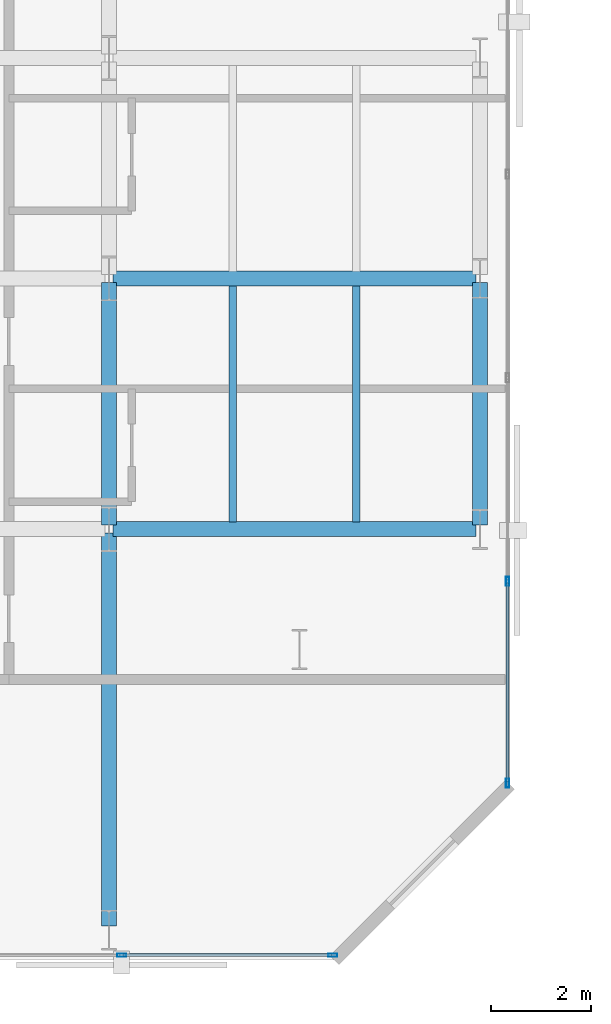
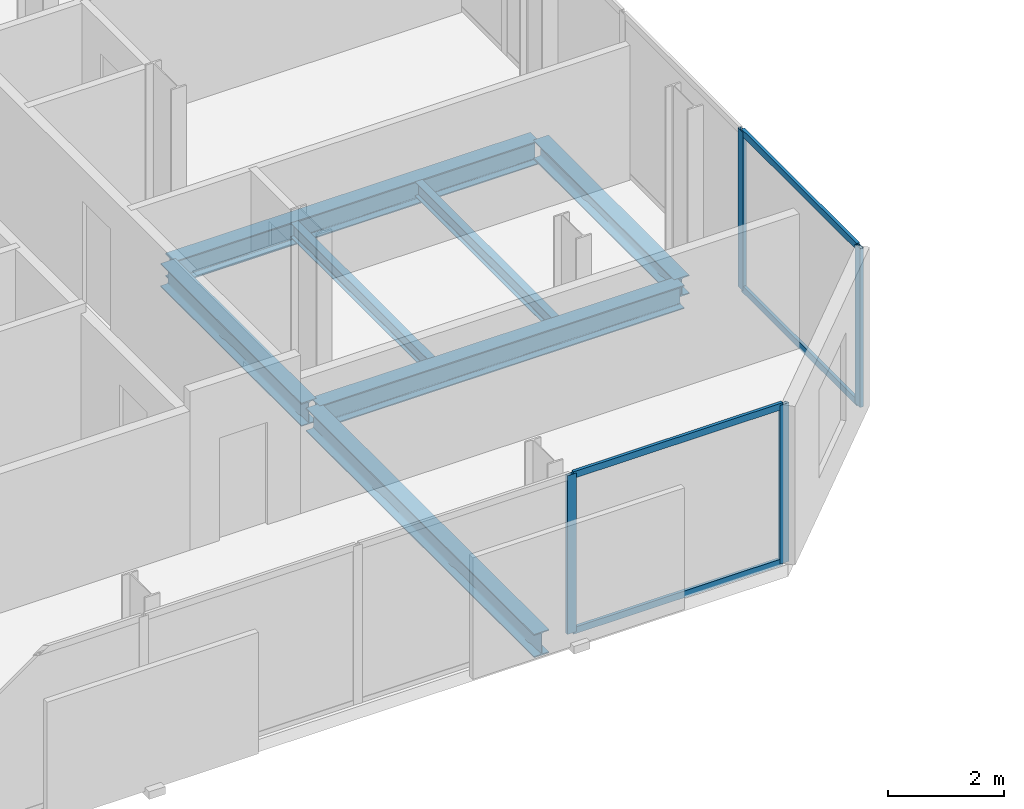
# One storey, part 7 of 33: 8 members, 7 beams, 2 elements without a shape of their own.
"""IFC4 building model written with IfcOpenShell, lengths in metres."""

from ifc_helpers import new_model, si_unit, direction, frame, origin, origin_2d, place, context, subcontext, project, spatial, hollow_rectangle, i_section, extrude, material, layer, layer_set, material_profile, profile_set, type_object, element, aggregate, save


model = new_model("IFC4")

# Units and contexts
model_context = context("Model", 3, precision=1e-05, world=origin(), true_north=direction((0.0, 1.0)))
body_context = subcontext(model_context, "Body", "Model", "MODEL_VIEW")
ifc_project = project(units=[si_unit("LENGTHUNIT", "METRE"), si_unit("AREAUNIT", "SQUARE_METRE"), si_unit("VOLUMEUNIT", "CUBIC_METRE"), si_unit("PLANEANGLEUNIT", "RADIAN"), si_unit("MASSUNIT", "GRAM", prefix="KILO")], contexts=[model_context])

# Site, building, storey
site_placement = place(None, origin())
site = spatial("IfcSite", under=ifc_project, at=site_placement, CompositionType="ELEMENT")
building_placement = place(site_placement, origin())
building = spatial("IfcBuilding", under=site, at=building_placement, Name="Catumbela Crestline Tower", CompositionType="ELEMENT")
storey_placement = place(building_placement, frame((0.0, 0.0, 72.6)))
storey = spatial("IfcBuildingStorey", under=building, at=storey_placement, Name="L18", CompositionType="ELEMENT", Elevation=72.6)

# Beams
ifc_material_1 = material(Name="Structural steel S355J2", Category="steel")
ifc_material_profile_1 = material_profile(ifc_material_1, i_section(OverallWidth=0.3, OverallDepth=0.49, WebThickness=0.012, FlangeThickness=0.023, FilletRadius=0.027, at=origin_2d()), Name="HEA 500")
ifc_profile_set_1 = profile_set([ifc_material_profile_1], Name="Structural steel S355J2")
beam_type_1 = type_object("IfcBeamType", Name="BG-HEA500", PredefinedType="BEAM", material=ifc_profile_set_1)
for number, where, z_axis, x_axis, name in (
    (1, (16.08, 8.6, -0.505), (1.0, 0.0, 0.0), (0.0, 1.0, 0.0), "L18 Beam BM-L18-WEW50"),
    (2, (16.08, 13.6, -0.505), (1.0, 0.0, 0.0), (0.0, 1.0, 0.0), "L18 Beam BM-L18-WEW53"),
):
    element("IfcBeam", number, at=place(storey_placement, frame(where, z_axis=z_axis, x_axis=x_axis)), inside=storey, type_object=beam_type_1, Name=name, PredefinedType="BEAM", context=body_context, shape_type="SweptSolid", body=[
        extrude(i_section(OverallWidth=0.3, OverallDepth=0.49, WebThickness=0.012, FlangeThickness=0.023, FilletRadius=0.027, at=origin_2d()), origin(), (0.0, 0.0, 1.0), 7.24),
    ])
beam_1_placement = place(storey_placement, frame((16.0, 0.68, -0.505), z_axis=(0.0, 1.0, 0.0), x_axis=(-1.0, 0.0, 0.0)))
element("IfcBeam", 3, at=beam_1_placement, inside=storey, type_object=beam_type_1, Name="L18 Beam BM-L18-WNS64", PredefinedType="BEAM", context=body_context, shape_type="SweptSolid", body=[
    extrude(i_section(OverallWidth=0.3, OverallDepth=0.49, WebThickness=0.012, FlangeThickness=0.023, FilletRadius=0.027, at=origin_2d()), origin(), (0.0, 0.0, 1.0), 7.84),
])
beam_2_placement = place(storey_placement, frame((16.0, 8.68, -0.505), z_axis=(0.0, 1.0, 0.0), x_axis=(-1.0, 0.0, 0.0)))
element("IfcBeam", 4, at=beam_2_placement, inside=storey, type_object=beam_type_1, Name="L18 Beam BM-L18-WNS65", PredefinedType="BEAM", context=body_context, shape_type="SweptSolid", body=[
    extrude(i_section(OverallWidth=0.3, OverallDepth=0.49, WebThickness=0.012, FlangeThickness=0.023, FilletRadius=0.027, at=origin_2d()), origin(), (0.0, 0.0, 1.0), 4.84),
])
ifc_material_profile_2 = material_profile(ifc_material_1, i_section(OverallWidth=0.15, OverallDepth=0.3, WebThickness=0.0071, FlangeThickness=0.0107, FilletRadius=0.015, at=origin_2d()), Name="IPE 300")
ifc_profile_set_2 = profile_set([ifc_material_profile_2], Name="Structural steel S355J2")
beam_type_2 = type_object("IfcBeamType", Name="BJ-IPE300", PredefinedType="JOIST", material=ifc_profile_set_2)
for number, where, z_axis, x_axis, name in (
    (5, (18.467, 8.747, -0.41), (0.0, 1.0, 0.0), (-1.0, 0.0, 0.0), "L18 Joist JS-L18-WG74"),
    (6, (20.933, 8.747, -0.41), (0.0, 1.0, 0.0), (-1.0, 0.0, 0.0), "L18 Joist JS-L18-WG75"),
):
    element("IfcBeam", number, at=place(storey_placement, frame(where, z_axis=z_axis, x_axis=x_axis)), inside=storey, type_object=beam_type_2, Name=name, PredefinedType="JOIST", context=body_context, shape_type="SweptSolid", body=[
        extrude(i_section(OverallWidth=0.15, OverallDepth=0.3, WebThickness=0.0071, FlangeThickness=0.0107, FilletRadius=0.015, at=origin_2d()), origin(), (0.0, 0.0, 1.0), 4.706),
    ])

# Curtain wall, members
ifc_material_2 = material(Name="Aluminium alloy AW-6060-T66", Category="aluminium")
ifc_layer = layer(ifc_material_2, 0.18, Name="Aluminium alloy AW-6060-T66")
ifc_layer_set = layer_set([ifc_layer], Name="Aluminium alloy AW-6060-T66")
curtain_wall_type = type_object("IfcCurtainWallType", Name="CWU-Z1", PredefinedType="USERDEFINED", material=ifc_layer_set)
curtain_wall_1_placement = place(storey_placement, origin())
curtain_wall_1 = element("IfcCurtainWall", 7, at=curtain_wall_1_placement, inside=storey, type_object=curtain_wall_type, Name="L18 Unitised Curtain Wall CW-L18-E0S1", ObjectType="UNITISED", PredefinedType="USERDEFINED")
ifc_material_profile_3 = material_profile(ifc_material_2, hollow_rectangle(XDim=0.065, YDim=0.18, WallThickness=0.004, at=origin_2d()), Name="ALU 180x65x4")
ifc_profile_set_3 = profile_set([ifc_material_profile_3], Name="Aluminium alloy AW-6060-T66")
member_type_1 = type_object("IfcMemberType", Name="MUL-180X65", PredefinedType="MULLION", material=ifc_profile_set_3)
member_1_placement = place(storey_placement, frame((16.25, 0.1, 0.0), z_axis=(0.0, 0.0, 1.0), x_axis=(0.0, 1.0, 0.0)))
member_1 = element("IfcMember", 8, at=member_1_placement, type_object=member_type_1, Name="CWU-Z1 mullion 4", PredefinedType="MULLION", context=body_context, shape_type="SweptSolid", body=[
    extrude(hollow_rectangle(XDim=0.065, YDim=0.18, WallThickness=0.004, at=origin_2d()), origin(), (0.0, 0.0, 1.0), 3.33),
])
member_2_placement = place(storey_placement, frame((20.4675, 0.1, 0.0), z_axis=(0.0, 0.0, 1.0), x_axis=(0.0, 1.0, 0.0)))
member_2 = element("IfcMember", 9, at=member_2_placement, type_object=member_type_1, Name="CWU-Z1 mullion 5", PredefinedType="MULLION", context=body_context, shape_type="SweptSolid", body=[
    extrude(hollow_rectangle(XDim=0.065, YDim=0.18, WallThickness=0.004, at=origin_2d()), origin(), (0.0, 0.0, 1.0), 3.33),
])

curtain_wall_2_placement = place(storey_placement, origin())
curtain_wall_2 = element("IfcCurtainWall", 10, at=curtain_wall_2_placement, inside=storey, type_object=curtain_wall_type, Name="L18 Unitised Curtain Wall CW-L18-E2S1", ObjectType="UNITISED", PredefinedType="USERDEFINED")
member_3_placement = place(storey_placement, frame((23.95, 3.5325, 0.0), z_axis=(0.0, 0.0, 1.0), x_axis=(-1.0, 0.0, 0.0)))
member_3 = element("IfcMember", 11, at=member_3_placement, type_object=member_type_1, Name="CWU-Z1 mullion 1", PredefinedType="MULLION", context=body_context, shape_type="SweptSolid", body=[
    extrude(hollow_rectangle(XDim=0.065, YDim=0.18, WallThickness=0.004, at=origin_2d()), origin(), (0.0, 0.0, 1.0), 3.33),
])
member_4_placement = place(storey_placement, frame((23.95, 7.56, 0.0), z_axis=(0.0, 0.0, 1.0), x_axis=(-1.0, 0.0, 0.0)))
member_4 = element("IfcMember", 12, at=member_4_placement, type_object=member_type_1, Name="CWU-Z1 mullion 2", PredefinedType="MULLION", context=body_context, shape_type="SweptSolid", body=[
    extrude(hollow_rectangle(XDim=0.065, YDim=0.18, WallThickness=0.004, at=origin_2d()), origin(), (0.0, 0.0, 1.0), 3.33),
])

# Beam
ifc_material_profile_4 = material_profile(ifc_material_1, i_section(OverallWidth=0.3, OverallDepth=0.4, WebThickness=0.0135, FlangeThickness=0.024, FilletRadius=0.027, at=origin_2d()), Name="HEB 400")
ifc_profile_set_4 = profile_set([ifc_material_profile_4], Name="Structural steel S355J2")
beam_type_3 = type_object("IfcBeamType", Name="BS-HEB400", PredefinedType="SPANDREL", material=ifc_profile_set_4)
beam_3_placement = place(storey_placement, frame((23.4, 8.68, -0.46), z_axis=(0.0, 1.0, 0.0), x_axis=(-1.0, 0.0, 0.0)))
element("IfcBeam", 13, at=beam_3_placement, inside=storey, type_object=beam_type_3, Name="L18 Spandrel SP-L18-WNS68", PredefinedType="SPANDREL", context=body_context, shape_type="SweptSolid", body=[
    extrude(i_section(OverallWidth=0.3, OverallDepth=0.4, WebThickness=0.0135, FlangeThickness=0.024, FilletRadius=0.027, at=origin_2d()), origin(), (0.0, 0.0, 1.0), 4.84),
])

# Member
ifc_material_profile_5 = material_profile(ifc_material_2, hollow_rectangle(XDim=0.06, YDim=0.14, WallThickness=0.004, at=origin_2d()), Name="ALU 140x60x4")
ifc_profile_set_5 = profile_set([ifc_material_profile_5], Name="Aluminium alloy AW-6060-T66")
member_type_2 = type_object("IfcMemberType", Name="TRN-140X60", PredefinedType="USERDEFINED", material=ifc_profile_set_5)
member_5_placement = place(storey_placement, frame((16.2825, 0.1, 0.03), z_axis=(1.0, 0.0, 0.0), x_axis=(0.0, 1.0, 0.0)))
member_5 = element("IfcMember", 14, at=member_5_placement, type_object=member_type_2, Name="CWU-Z1 transom 4.1", ObjectType="TRANSOM", PredefinedType="USERDEFINED", context=body_context, shape_type="SweptSolid", body=[
    extrude(hollow_rectangle(XDim=0.06, YDim=0.14, WallThickness=0.004, at=origin_2d()), origin(), (0.0, 0.0, 1.0), 4.1525),
])

member_6_placement = place(storey_placement, frame((16.2825, 0.1, 3.3), z_axis=(1.0, 0.0, 0.0), x_axis=(0.0, 1.0, 0.0)))
member_6 = element("IfcMember", 15, at=member_6_placement, type_object=member_type_2, Name="CWU-Z1 transom 4.2", ObjectType="TRANSOM", PredefinedType="USERDEFINED", context=body_context, shape_type="SweptSolid", body=[
    extrude(hollow_rectangle(XDim=0.06, YDim=0.14, WallThickness=0.004, at=origin_2d()), origin(), (0.0, 0.0, 1.0), 4.1525),
])

aggregate(curtain_wall_1, [member_1, member_2, member_5, member_6])

member_7_placement = place(storey_placement, frame((23.95, 3.565, 0.03), z_axis=(0.0, 1.0, 0.0), x_axis=(-1.0, 0.0, 0.0)))
member_7 = element("IfcMember", 16, at=member_7_placement, type_object=member_type_2, Name="CWU-Z1 transom 1.1", ObjectType="TRANSOM", PredefinedType="USERDEFINED", context=body_context, shape_type="SweptSolid", body=[
    extrude(hollow_rectangle(XDim=0.06, YDim=0.14, WallThickness=0.004, at=origin_2d()), origin(), (0.0, 0.0, 1.0), 3.9625),
])

member_8_placement = place(storey_placement, frame((23.95, 3.565, 3.3), z_axis=(0.0, 1.0, 0.0), x_axis=(-1.0, 0.0, 0.0)))
member_8 = element("IfcMember", 17, at=member_8_placement, type_object=member_type_2, Name="CWU-Z1 transom 1.2", ObjectType="TRANSOM", PredefinedType="USERDEFINED", context=body_context, shape_type="SweptSolid", body=[
    extrude(hollow_rectangle(XDim=0.06, YDim=0.14, WallThickness=0.004, at=origin_2d()), origin(), (0.0, 0.0, 1.0), 3.9625),
])

aggregate(curtain_wall_2, [member_3, member_4, member_7, member_8])

save(model, "model.ifc")
